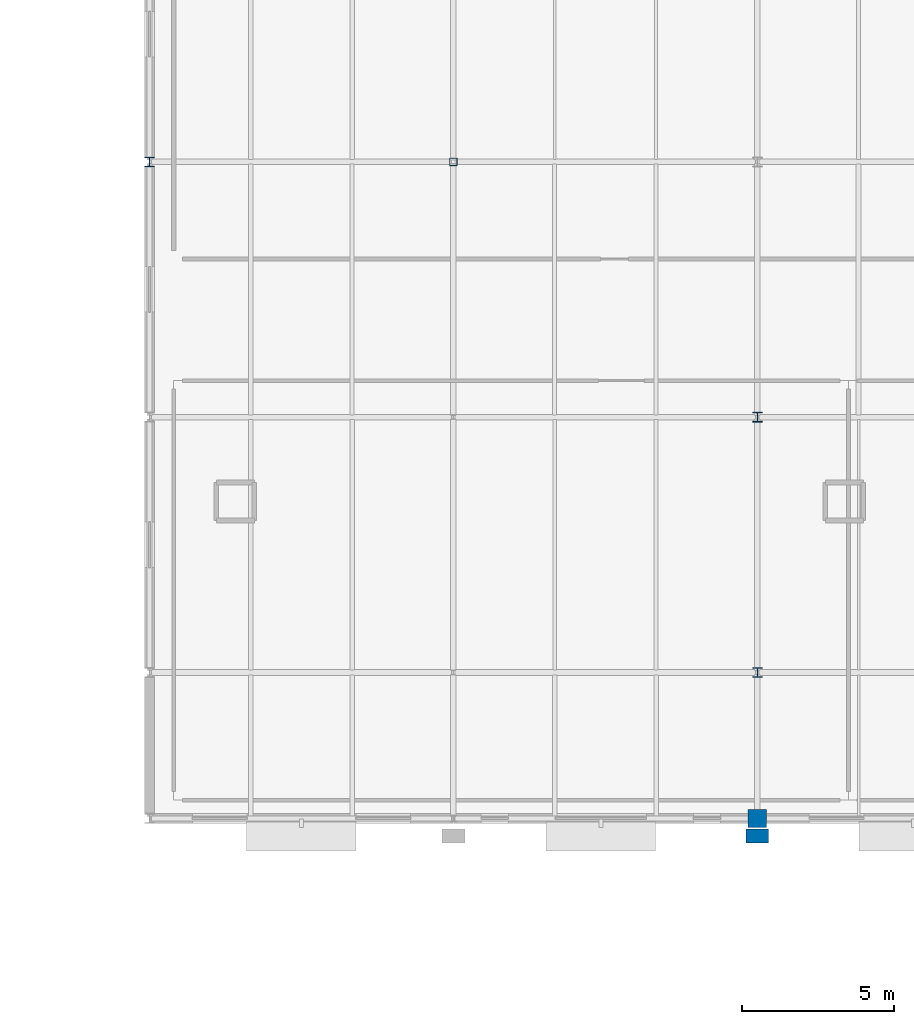
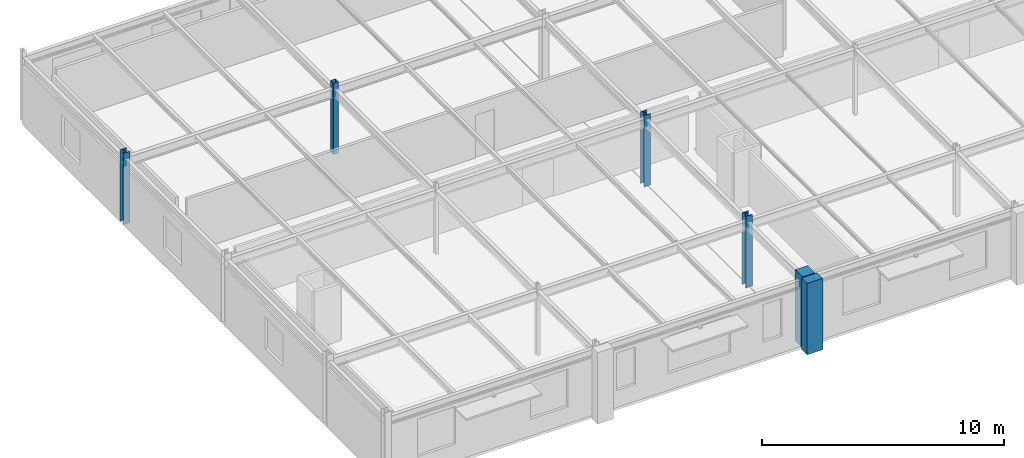
# One storey, part 16 of 109: 6 columns.
"""IFC4 building model written with IfcOpenShell, lengths in metres."""

from ifc_helpers import new_model, si_unit, derived_unit, direction, frame, origin, origin_2d_with_axis, place, context, subcontext, project, spatial, rectangle, hollow_rectangle, i_section, extrude, material, material_profile, profile_set, type_object, element, save


model = new_model("IFC4")

# Units and contexts
model_context = context("Model", 3, precision=1e-05, world=origin(), true_north=direction((0.0, 1.0)))
body_context = subcontext(model_context, "Body", "Model", "MODEL_VIEW")
ifc_project = project(units=[si_unit("LENGTHUNIT", "METRE"), si_unit("AREAUNIT", "SQUARE_METRE"), si_unit("VOLUMEUNIT", "CUBIC_METRE"), si_unit("PLANEANGLEUNIT", "RADIAN"), si_unit("MASSUNIT", "GRAM", prefix="KILO"), derived_unit("THERMALTRANSMITTANCEUNIT", [(si_unit("POWERUNIT", "WATT"), 1), (si_unit("LENGTHUNIT", "METRE"), -2), (si_unit("THERMODYNAMICTEMPERATUREUNIT", "KELVIN"), -1)])], contexts=[model_context])

# Site, building, storey
site_placement = place(None, origin())
site = spatial("IfcSite", under=ifc_project, at=site_placement, CompositionType="ELEMENT")
building_placement = place(site_placement, origin())
building = spatial("IfcBuilding", under=site, at=building_placement, Name="Cinnabar Yard Market Hall", CompositionType="ELEMENT")
storey_placement = place(building_placement, frame((0.0, 0.0, 8.39990234375)))
storey = spatial("IfcBuildingStorey", under=building, at=storey_placement, Name="L02", CompositionType="ELEMENT", Elevation=8.39990234375)

# Columns
ifc_material_1 = material(Name="Steel Grade 350 (350 MPa)", Category="steel")
ifc_material_profile_1 = material_profile(ifc_material_1, i_section(OverallWidth=0.311279296875, OverallDepth=0.3271484375, WebThickness=0.015625, FlangeThickness=0.02490234375, FilletRadius=0.0166015625, at=origin_2d_with_axis()), Name="310UC158")
ifc_profile_set_1 = profile_set([ifc_material_profile_1], Name="Steel Grade 350 (350 MPa)")
column_type_1 = type_object("IfcColumnType", Name="COL-C06", PredefinedType="COLUMN", material=ifc_profile_set_1)
column_1_placement = place(storey_placement, frame((86.0, 112.800048828125, 0.0), z_axis=(0.0, 0.0, 1.0), x_axis=(1.0, 0.0, 0.0)))
element("IfcColumn", 1, at=column_1_placement, inside=storey, type_object=column_type_1, Name="Wing Column V3-03-02 L02", PredefinedType="COLUMN", context=body_context, shape_type="SweptSolid", body=[
    extrude(i_section(OverallWidth=0.311279296875, OverallDepth=0.3271484375, WebThickness=0.015625, FlangeThickness=0.02490234375, FilletRadius=0.0166015625, at=origin_2d_with_axis()), origin(), (0.0, 0.0, 1.0), 3.60009765625),
])
ifc_material_profile_2 = material_profile(ifc_material_1, i_section(OverallWidth=0.30908203125, OverallDepth=0.320556640625, WebThickness=0.013916015625, FlangeThickness=0.021728515625, FilletRadius=0.0166015625, at=origin_2d_with_axis()), Name="310UC137")
ifc_profile_set_2 = profile_set([ifc_material_profile_2], Name="Steel Grade 350 (350 MPa)")
column_type_2 = type_object("IfcColumnType", Name="COL-C07", PredefinedType="COLUMN", material=ifc_profile_set_2)
column_2_placement = place(storey_placement, frame((86.0, 121.199951171875, 0.0), z_axis=(0.0, 0.0, 1.0), x_axis=(1.0, 0.0, 0.0)))
element("IfcColumn", 2, at=column_2_placement, inside=storey, type_object=column_type_2, Name="Wing Column V3-03-03 L02", PredefinedType="COLUMN", context=body_context, shape_type="SweptSolid", body=[
    extrude(i_section(OverallWidth=0.30908203125, OverallDepth=0.320556640625, WebThickness=0.013916015625, FlangeThickness=0.021728515625, FilletRadius=0.0166015625, at=origin_2d_with_axis()), origin(), (0.0, 0.0, 1.0), 3.60009765625),
])
ifc_material_2 = material(Name="Steel Grade 300 (300 MPa)", Category="steel")
ifc_material_profile_3 = material_profile(ifc_material_2, i_section(OverallWidth=0.304931640625, OverallDepth=0.30810546875, WebThickness=0.010009765625, FlangeThickness=0.015380859375, FilletRadius=0.0166015625, at=origin_2d_with_axis()), Name="310UC96.8")
ifc_profile_set_3 = profile_set([ifc_material_profile_3], Name="Steel Grade 300 (300 MPa)")
column_type_3 = type_object("IfcColumnType", Name="COL-C09E", PredefinedType="COLUMN", material=ifc_profile_set_3)
column_3_placement = place(storey_placement, frame((66.0, 129.60009765625, 0.0), z_axis=(0.0, 0.0, 1.0), x_axis=(1.0, 0.0, 0.0)))
element("IfcColumn", 3, at=column_3_placement, inside=storey, type_object=column_type_3, Name="Wing Column V3-01-04 L02", PredefinedType="COLUMN", context=body_context, shape_type="SweptSolid", body=[
    extrude(i_section(OverallWidth=0.304931640625, OverallDepth=0.30810546875, WebThickness=0.010009765625, FlangeThickness=0.015380859375, FilletRadius=0.0166015625, at=origin_2d_with_axis()), origin(), (0.0, 0.0, 1.0), 3.60009765625),
])
ifc_material_3 = material(Name="Cold-formed steel C350L0", Category="steel")
ifc_material_profile_4 = material_profile(ifc_material_3, hollow_rectangle(XDim=0.25, YDim=0.25, WallThickness=0.009033203125, InnerFilletRadius=0.009033203125, OuterFilletRadius=0.01806640625, at=origin_2d_with_axis()), Name="250x250x9.0SHS")
ifc_profile_set_4 = profile_set([ifc_material_profile_4], Name="Cold-formed steel C350L0")
column_type_4 = type_object("IfcColumnType", Name="COL-C20", PredefinedType="COLUMN", material=ifc_profile_set_4)
column_4_placement = place(storey_placement, frame((76.0, 129.60009765625, 0.0), z_axis=(0.0, 0.0, 1.0), x_axis=(1.0, 0.0, 0.0)))
element("IfcColumn", 4, at=column_4_placement, inside=storey, type_object=column_type_4, Name="Wing Column V3-02-04 L02", PredefinedType="COLUMN", context=body_context, shape_type="SweptSolid", body=[
    extrude(hollow_rectangle(XDim=0.25, YDim=0.25, WallThickness=0.009033203125, InnerFilletRadius=0.009033203125, OuterFilletRadius=0.01806640625, at=origin_2d_with_axis()), origin(), (0.0, 0.0, 1.0), 3.60009765625),
])
ifc_material_4 = material(Name="Concrete 40 MPa", Category="concrete")
ifc_material_profile_5 = material_profile(ifc_material_4, rectangle(XDim=0.75, YDim=0.449951171875, at=origin_2d_with_axis()), Name="RC-750x450")
ifc_profile_set_5 = profile_set([ifc_material_profile_5], Name="Concrete 40 MPa")
column_type_5 = type_object("IfcColumnType", Name="COL-PIL1E", PredefinedType="PILASTER", material=ifc_profile_set_5)
column_5_placement = place(storey_placement, frame((86.0, 107.419921875, 0.0), z_axis=(0.0, 0.0, 1.0), x_axis=(1.0, 0.0, 0.0)))
element("IfcColumn", 5, at=column_5_placement, inside=storey, type_object=column_type_5, Name="Engaged Pilaster 02 L02", PredefinedType="PILASTER", context=body_context, shape_type="SweptSolid", body=[
    extrude(rectangle(XDim=0.75, YDim=0.449951171875, at=origin_2d_with_axis()), origin(), (0.0, 0.0, 1.0), 3.60009765625),
])
ifc_material_profile_6 = material_profile(ifc_material_4, rectangle(XDim=0.60009765625, YDim=0.60009765625, at=origin_2d_with_axis()), Name="RC-600x600")
ifc_profile_set_6 = profile_set([ifc_material_profile_6], Name="Concrete 40 MPa")
column_type_6 = type_object("IfcColumnType", Name="COL-RC2E", PredefinedType="COLUMN", material=ifc_profile_set_6)
column_6_placement = place(storey_placement, frame((86.0, 108.0, 0.0), z_axis=(0.0, 0.0, 1.0), x_axis=(1.0, 0.0, 0.0)))
element("IfcColumn", 6, at=column_6_placement, inside=storey, type_object=column_type_6, Name="Wing Column V3-03-01 L02", PredefinedType="COLUMN", context=body_context, shape_type="SweptSolid", body=[
    extrude(rectangle(XDim=0.60009765625, YDim=0.60009765625, at=origin_2d_with_axis()), origin(), (0.0, 0.0, 1.0), 3.60009765625),
])

save(model, "model.ifc")
